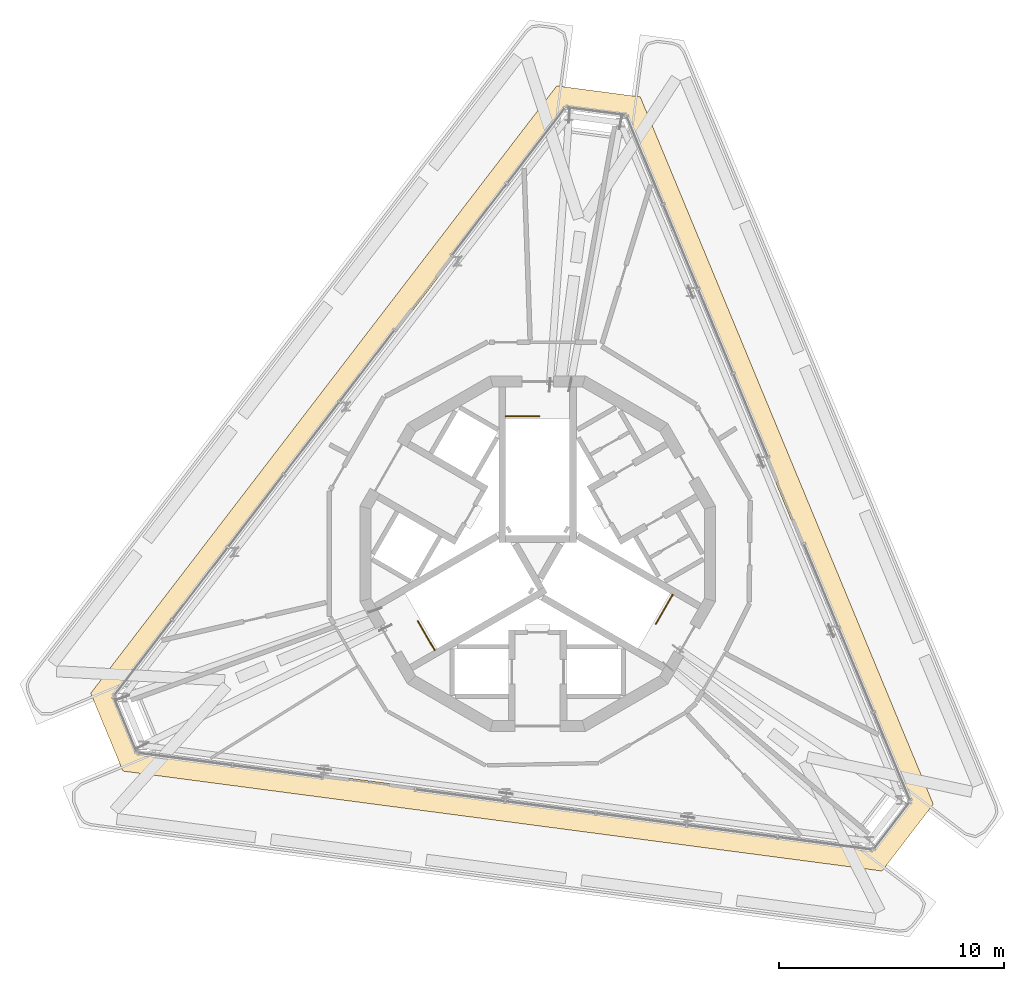
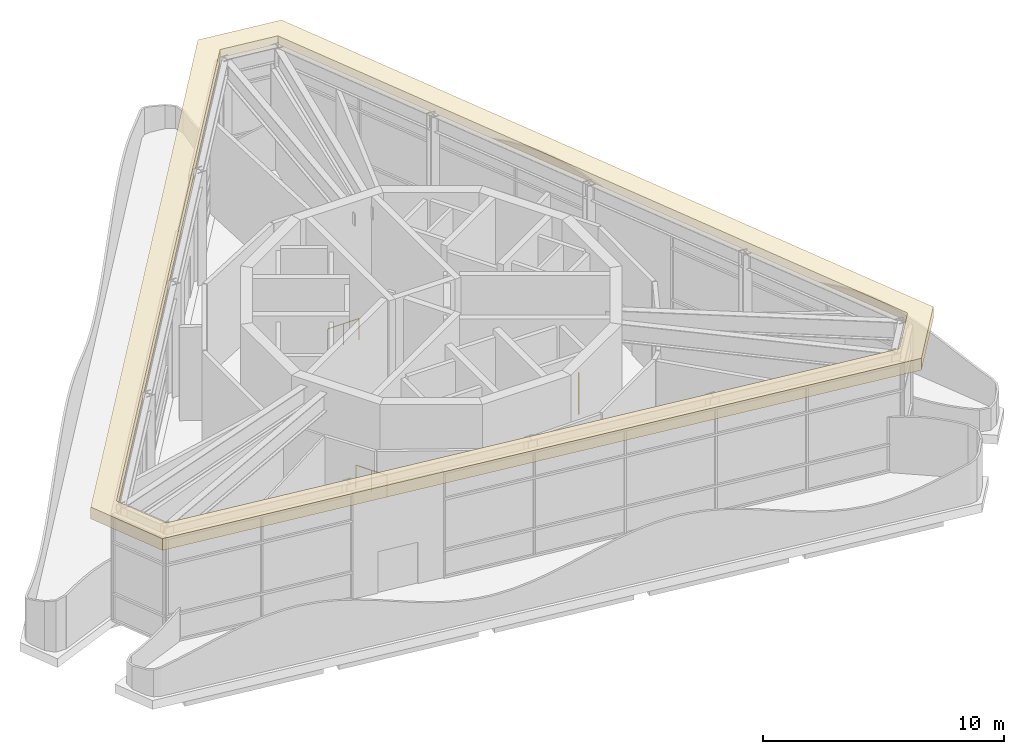
# One storey, part 10 of 10: 3 railings, 1 covering.
"""IFC4 building model written with IfcOpenShell, lengths in metres."""

from ifc_helpers import new_model, si_unit, direction, frame, origin, origin_2d, place, context, subcontext, project, spatial, polyline, circle, outline, extrude, material, layer, layer_set, type_object, element, save


model = new_model("IFC4")

# Units and contexts
model_context = context("Model", 3, precision=1e-05, world=origin(), true_north=direction((0.0, 1.0)))
body_context = subcontext(model_context, "Body", "Model", "MODEL_VIEW")
ifc_project = project(units=[si_unit("LENGTHUNIT", "METRE"), si_unit("AREAUNIT", "SQUARE_METRE"), si_unit("VOLUMEUNIT", "CUBIC_METRE"), si_unit("PLANEANGLEUNIT", "RADIAN"), si_unit("MASSUNIT", "GRAM", prefix="KILO")], contexts=[model_context])

# Site, building, storey
site_placement = place(None, origin())
site = spatial("IfcSite", under=ifc_project, at=site_placement, CompositionType="ELEMENT")
building_placement = place(site_placement, origin())
building = spatial("IfcBuilding", under=site, at=building_placement, Name="Trine Commons Tower", CompositionType="ELEMENT")
storey_placement = place(building_placement, frame((0.0, 0.0, 300.60009765625)))
storey = spatial("IfcBuildingStorey", under=building, at=storey_placement, Name="CROWN", CompositionType="ELEMENT", Elevation=300.60009765625)

# Covering
ifc_material_1 = material(Name="Limestone, honed", Category="masonry")
ifc_layer = layer(ifc_material_1, 0.75)
ifc_layer_set = layer_set([ifc_layer], Name="Limestone, honed")
covering_type = type_object("IfcCoveringType", Name="Limestone cornice band 750x600", PredefinedType="CLADDING", material=ifc_layer_set)
covering_placement = place(storey_placement, frame((0.0, 0.0, 5.39990234375)))
element("IfcCovering", 1, at=covering_placement, inside=storey, type_object=covering_type, Name="Limestone cornice band, crown drum", PredefinedType="CLADDING", context=body_context, shape_type="SweptSolid", body=[
    extrude(outline(polyline([(61.534423828125, 52.8203125), (95.3310546875, 48.370849609375), (97.615478515625, 51.34814453125), (84.570556640625, 82.841552734375), (80.849853515625, 83.331298828125), (60.098388671875, 56.28759765625), (61.534423828125, 52.8203125)]), holes=[polyline([(62.2373046875, 53.736328125), (94.88916015625, 49.437744140625), (96.470703125, 51.498779296875), (83.86767578125, 81.925537109375), (81.291748046875, 82.2646484375), (61.2431640625, 56.13671875), (62.2373046875, 53.736328125)])]), origin(), (0.0, 0.0, 1.0), 0.60009765625),
])

# Railings
ifc_material_2 = material(Name="Stainless steel balustrade", Category="steel")
railing_type = type_object("IfcRailingType", Name="Stair guard, steel balustrade 1100", PredefinedType="GUARDRAIL", material=ifc_material_2)
railing_1_placement = place(storey_placement, frame((78.574951171875, 68.62060546875, 0.0)))
element("IfcRailing", 2, at=railing_1_placement, inside=storey, type_object=railing_type, Name="CROWN ST1D top well guard 1", PredefinedType="GUARDRAIL", context=body_context, shape_type="SweptSolid", body=[
    extrude(circle(Radius=0.02392578125, at=origin_2d()), frame((0.0, 0.0, 1.076171875), z_axis=(1.0, 0.0, 0.0), x_axis=(0.0, 1.0, 0.0)), (0.0, 0.0, 1.0), 1.5),
    extrude(circle(Radius=0.02099609375, at=origin_2d()), origin(), (0.0, 0.0, 1.0), 1.052001953125),
    extrude(circle(Radius=0.02099609375, at=origin_2d()), frame((0.75, 0.0, 0.0)), (0.0, 0.0, 1.0), 1.052001953125),
    extrude(circle(Radius=0.02099609375, at=origin_2d()), frame((1.5, 0.0, 0.0)), (0.0, 0.0, 1.0), 1.052001953125),
])
railing_2_placement = place(storey_placement, frame((75.411865234375, 58.20556640625, 0.0)))
element("IfcRailing", 3, at=railing_2_placement, inside=storey, type_object=railing_type, Name="CROWN ST2D top well guard 1", PredefinedType="GUARDRAIL", context=body_context, shape_type="SweptSolid", body=[
    extrude(circle(Radius=0.02392578125, at=origin_2d()), frame((0.0, 0.0, 1.076171875), z_axis=(-0.499990139034, 0.866031096941, 0.0), x_axis=(-0.866031096941, -0.499990139034, 0.0)), (0.0, 0.0, 1.0), 1.5),
    extrude(circle(Radius=0.02099609375, at=origin_2d()), origin(), (0.0, 0.0, 1.0), 1.052001953125),
    extrude(circle(Radius=0.02099609375, at=origin_2d()), frame((-0.375, 0.6494140625, 0.0)), (0.0, 0.0, 1.0), 1.052001953125),
    extrude(circle(Radius=0.02099609375, at=origin_2d()), frame((-0.75, 1.299072265625, 0.0)), (0.0, 0.0, 1.0), 1.052001953125),
])
railing_3_placement = place(storey_placement, frame((86.01318359375, 60.673828125, 0.0)))
element("IfcRailing", 4, at=railing_3_placement, inside=storey, type_object=railing_type, Name="CROWN ST3D top well guard 1", PredefinedType="GUARDRAIL", context=body_context, shape_type="SweptSolid", body=[
    extrude(circle(Radius=0.02392578125, at=origin_2d()), frame((0.0, 0.0, 1.076171875), z_axis=(-0.499990139034, -0.866031096941, 0.0), x_axis=(0.866031096941, -0.499990139034, 0.0)), (0.0, 0.0, 1.0), 1.5),
    extrude(circle(Radius=0.02099609375, at=origin_2d()), origin(), (0.0, 0.0, 1.0), 1.052001953125),
    extrude(circle(Radius=0.02099609375, at=origin_2d()), frame((-0.375, -0.6494140625, 0.0)), (0.0, 0.0, 1.0), 1.052001953125),
    extrude(circle(Radius=0.02099609375, at=origin_2d()), frame((-0.75, -1.299072265625, 0.0)), (0.0, 0.0, 1.0), 1.052001953125),
])

save(model, "model.ifc")
